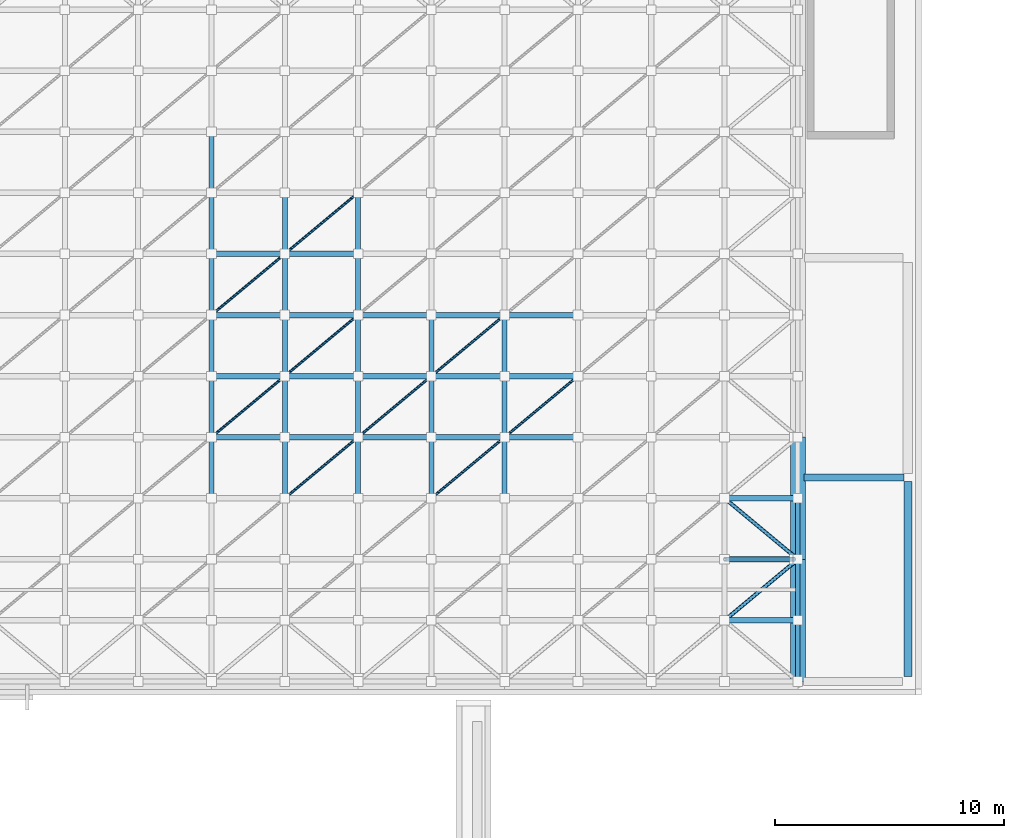
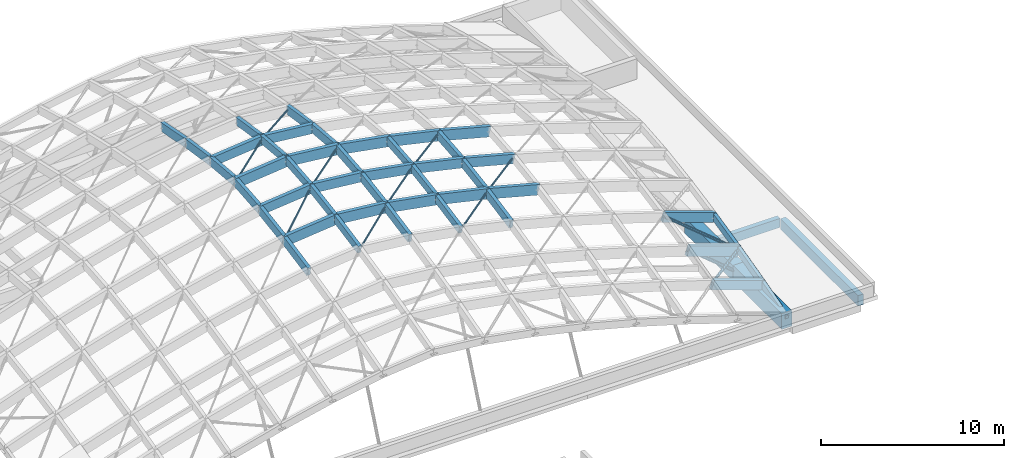
# One storey, part 19 of 40: 57 members, 4 beams.
"""IFC4 building model written with IfcOpenShell, lengths in metres."""

from ifc_helpers import new_model, si_unit, direction, frame, origin, origin_2d, place, context, subcontext, project, spatial, rectangle, hollow_circle, extrude, material, material_profile, profile_set, type_object, element, save


model = new_model("IFC4")

# Units and contexts
model_context = context("Model", 3, precision=1e-05, world=origin(), true_north=direction((0.0, 1.0)))
body_context = subcontext(model_context, "Body", "Model", "MODEL_VIEW")
ifc_project = project(units=[si_unit("LENGTHUNIT", "METRE"), si_unit("AREAUNIT", "SQUARE_METRE"), si_unit("VOLUMEUNIT", "CUBIC_METRE"), si_unit("PLANEANGLEUNIT", "RADIAN"), si_unit("MASSUNIT", "GRAM", prefix="KILO")], contexts=[model_context])

# Site, building, storey
site_placement = place(None, origin())
site = spatial("IfcSite", under=ifc_project, at=site_placement, CompositionType="ELEMENT")
building_placement = place(site_placement, origin())
building = spatial("IfcBuilding", under=site, at=building_placement, Name="Mzevani Central Library", CompositionType="ELEMENT")
storey_placement = place(building_placement, frame((0.0, 0.0, 26.699951171875)))
storey = spatial("IfcBuildingStorey", under=building, at=storey_placement, Name="RF", CompositionType="ELEMENT", Elevation=26.699951171875)

# Beams
ifc_material_1 = material(Name="Concrete C35/45", Category="concrete")
ifc_material_profile_1 = material_profile(ifc_material_1, rectangle(XDim=0.300048828125, YDim=0.60009765625, at=origin_2d()), Name="RC B300x600")
ifc_profile_set_1 = profile_set([ifc_material_profile_1], Name="Concrete C35/45")
beam_type_1 = type_object("IfcBeamType", Name="Beam RC 300x600", PredefinedType="BEAM", material=ifc_profile_set_1)
beam_1_placement = place(storey_placement, frame((159.27490234375, 52.0, -13.4599609375), z_axis=(1.0, 0.0, 0.0), x_axis=(0.0, 1.0, 0.0)))
element("IfcBeam", 1, at=beam_1_placement, inside=storey, type_object=beam_type_1, Name="RF V1 Girder B-03 (154)", PredefinedType="BEAM", context=body_context, shape_type="SweptSolid", body=[
    extrude(rectangle(XDim=0.300048828125, YDim=0.60009765625, at=origin_2d()), origin(), (0.0, 0.0, 1.0), 4.35009765625),
])
ifc_material_profile_2 = material_profile(ifc_material_1, rectangle(XDim=0.35009765625, YDim=0.699951171875, at=origin_2d()), Name="RC B350x700")
ifc_profile_set_2 = profile_set([ifc_material_profile_2], Name="Concrete C35/45")
beam_type_2 = type_object("IfcBeamType", Name="Beam RC 350x700", PredefinedType="BEAM", material=ifc_profile_set_2)
beam_2_placement = place(storey_placement, frame((163.800048828125, 43.324951171875, -13.510009765625), z_axis=(0.0, 1.0, 0.0), x_axis=(-1.0, 0.0, 0.0)))
element("IfcBeam", 2, at=beam_2_placement, inside=storey, type_object=beam_type_2, Name="RF V1 Frame Beam B-06 (173)", PredefinedType="BEAM", context=body_context, shape_type="SweptSolid", body=[
    extrude(rectangle(XDim=0.35009765625, YDim=0.699951171875, at=origin_2d()), origin(), (0.0, 0.0, 1.0), 8.5),
])

# Members
ifc_material_2 = material(Name="Steel S355J2", Category="steel")
ifc_material_profile_3 = material_profile(ifc_material_2, hollow_circle(Radius=0.096923828125, WallThickness=0.010009765625, at=origin_2d()), Name="CHS 193.7x10.0")
ifc_profile_set_3 = profile_set([ifc_material_profile_3], Name="Steel S355J2")
member_type_1 = type_object("IfcMemberType", Name="Gridshell Corner Raker CHS 193.7", PredefinedType="BRACE", material=ifc_profile_set_3)
member_1_placement = place(storey_placement, frame((158.85009765625, 48.433349609375, -12.949951171875), z_axis=(-0.770395365575, 0.0, 0.637566451988), x_axis=(0.0, -1.0, 0.0)))
element("IfcMember", 3, at=member_1_placement, inside=storey, type_object=member_type_1, Name="RF Gridshell East Springing Raker 1", PredefinedType="BRACE", context=body_context, shape_type="SweptSolid", body=[
    extrude(hollow_circle(Radius=0.096923828125, WallThickness=0.010009765625, at=origin_2d()), origin(), (0.0, 0.0, 1.0), 3.958984375),
])
ifc_material_profile_4 = material_profile(ifc_material_2, hollow_circle(Radius=0.05712890625, WallThickness=0.00634765625, at=origin_2d()), Name="CHS 114.3x6.3")
ifc_profile_set_4 = profile_set([ifc_material_profile_4], Name="Steel S355J2")
member_type_2 = type_object("IfcMemberType", Name="Gridshell Diagonal Brace CHS 114.3", PredefinedType="BRACE", material=ifc_profile_set_4)
member_2_placement = place(storey_placement, frame((133.39990234375, 53.7666015625, -5.1337890625), z_axis=(0.756213069326, 0.630158327452, 0.176188183836), x_axis=(-0.640172870191, 0.768230887345, 0.0)))
element("IfcMember", 4, at=member_2_placement, inside=storey, type_object=member_type_2, Name="RF Gridshell Steel Diagonal 7.5", PredefinedType="BRACE", context=body_context, shape_type="SweptSolid", body=[
    extrude(hollow_circle(Radius=0.05712890625, WallThickness=0.00634765625, at=origin_2d()), origin(), (0.0, 0.0, 1.0), 4.23193359375),
])
member_3_placement = place(storey_placement, frame((133.39990234375, 59.10009765625, -4.483154296875), z_axis=(0.768060115262, 0.639971969705, 0.022793361675), x_axis=(-0.640138279177, 0.768259710991, 0.0)))
element("IfcMember", 5, at=member_3_placement, inside=storey, type_object=member_type_2, Name="RF Gridshell Steel Diagonal 7.7", PredefinedType="BRACE", context=body_context, shape_type="SweptSolid", body=[
    extrude(hollow_circle(Radius=0.05712890625, WallThickness=0.00634765625, at=origin_2d()), origin(), (0.0, 0.0, 1.0), 4.16650390625),
])
member_4_placement = place(storey_placement, frame((136.60009765625, 51.10009765625, -5.3212890625), z_axis=(0.767458533327, 0.639519501106, 0.044968959609), x_axis=(-0.640167103973, 0.768235692344, 0.0)))
element("IfcMember", 6, at=member_4_placement, inside=storey, type_object=member_type_2, Name="RF Gridshell Steel Diagonal 8.4", PredefinedType="BRACE", context=body_context, shape_type="SweptSolid", body=[
    extrude(hollow_circle(Radius=0.05712890625, WallThickness=0.00634765625, at=origin_2d()), origin(), (0.0, 0.0, 1.0), 4.16943359375),
])
member_5_placement = place(storey_placement, frame((136.60009765625, 56.433349609375, -4.38818359375), z_axis=(0.768007282007, 0.640035365939, -0.02279353267), x_axis=(-0.640201694382, 0.768206867003, 0.0)))
element("IfcMember", 7, at=member_5_placement, inside=storey, type_object=member_type_2, Name="RF Gridshell Steel Diagonal 8.6", PredefinedType="BRACE", context=body_context, shape_type="SweptSolid", body=[
    extrude(hollow_circle(Radius=0.05712890625, WallThickness=0.00634765625, at=origin_2d()), origin(), (0.0, 0.0, 1.0), 4.16650390625),
])
member_6_placement = place(storey_placement, frame((136.60009765625, 61.7666015625, -4.38818359375), z_axis=(0.756188367799, 0.630185819903, -0.176195870547), x_axis=(-0.640201694382, 0.768206867003, 0.0)))
element("IfcMember", 8, at=member_6_placement, inside=storey, type_object=member_type_2, Name="RF Gridshell Steel Diagonal 8.8", PredefinedType="BRACE", context=body_context, shape_type="SweptSolid", body=[
    extrude(hollow_circle(Radius=0.05712890625, WallThickness=0.00634765625, at=origin_2d()), origin(), (0.0, 0.0, 1.0), 4.231689453125),
])
member_7_placement = place(storey_placement, frame((139.800048828125, 53.7666015625, -5.1337890625), z_axis=(0.76760639043, 0.639701274332, -0.039531114179), x_axis=(-0.640201694382, 0.768206867003, 0.0)))
element("IfcMember", 9, at=member_7_placement, inside=storey, type_object=member_type_2, Name="RF Gridshell Steel Diagonal 9.5", PredefinedType="BRACE", context=body_context, shape_type="SweptSolid", body=[
    extrude(hollow_circle(Radius=0.05712890625, WallThickness=0.00634765625, at=origin_2d()), origin(), (0.0, 0.0, 1.0), 4.168701171875),
])
member_8_placement = place(storey_placement, frame((143.0, 51.10009765625, -6.231689453125), z_axis=(0.767279567327, 0.6393703696, -0.049875806162), x_axis=(-0.640167103973, 0.768235692344, 0.0)))
element("IfcMember", 10, at=member_8_placement, inside=storey, type_object=member_type_2, Name="RF Gridshell Steel Diagonal 10.4", PredefinedType="BRACE", context=body_context, shape_type="SweptSolid", body=[
    extrude(hollow_circle(Radius=0.05712890625, WallThickness=0.00634765625, at=origin_2d()), origin(), (0.0, 0.0, 1.0), 4.17041015625),
])
member_9_placement = place(storey_placement, frame((143.0, 56.433349609375, -5.298583984375), z_axis=(0.762936143094, 0.635809223393, -0.116940467802), x_axis=(-0.640201694382, 0.768206867003, 0.0)))
element("IfcMember", 11, at=member_9_placement, inside=storey, type_object=member_type_2, Name="RF Gridshell Steel Diagonal 10.6", PredefinedType="BRACE", context=body_context, shape_type="SweptSolid", body=[
    extrude(hollow_circle(Radius=0.05712890625, WallThickness=0.00634765625, at=origin_2d()), origin(), (0.0, 0.0, 1.0), 4.1943359375),
])
member_10_placement = place(storey_placement, frame((146.199951171875, 53.7666015625, -6.439697265625), z_axis=(0.764032317897, 0.636722744212, -0.104109385806), x_axis=(-0.640201694382, 0.768206867003, 0.0)))
element("IfcMember", 12, at=member_10_placement, inside=storey, type_object=member_type_2, Name="RF Gridshell Steel Diagonal 11.5", PredefinedType="BRACE", context=body_context, shape_type="SweptSolid", body=[
    extrude(hollow_circle(Radius=0.05712890625, WallThickness=0.00634765625, at=origin_2d()), origin(), (0.0, 0.0, 1.0), 4.188232421875),
])
ifc_material_3 = material(Name="Glulam GL28h", Category="wood")
ifc_material_profile_5 = material_profile(ifc_material_3, rectangle(XDim=0.199951171875, YDim=0.47998046875, at=origin_2d()), Name="GL28h 200x480")
ifc_profile_set_5 = profile_set([ifc_material_profile_5], Name="Glulam GL28h")
member_type_3 = type_object("IfcMemberType", Name="Gridshell Edge Rib GL28h 200x480", PredefinedType="RAFTER", material=ifc_profile_set_5)
member_11_placement = place(storey_placement, frame((159.0, 43.10009765625, -12.919921875), z_axis=(0.0, 0.963264772672, 0.268553491374), x_axis=(-1.0, 0.0, 0.0)))
element("IfcMember", 13, at=member_11_placement, inside=storey, type_object=member_type_3, Name="RF Gridshell Glulam Transverse Rib Y15.1", PredefinedType="RAFTER", context=body_context, shape_type="SweptSolid", body=[
    extrude(rectangle(XDim=0.199951171875, YDim=0.47998046875, at=origin_2d()), origin(), (0.0, 0.0, 1.0), 2.768310546875),
])
member_12_placement = place(storey_placement, frame((159.0, 45.7666015625, -12.176513671875), z_axis=(0.0, 0.969084447248, 0.246729272892), x_axis=(-1.0, 0.0, 0.0)))
element("IfcMember", 14, at=member_12_placement, inside=storey, type_object=member_type_3, Name="RF Gridshell Glulam Transverse Rib Y15.2", PredefinedType="RAFTER", context=body_context, shape_type="SweptSolid", body=[
    extrude(rectangle(XDim=0.199951171875, YDim=0.47998046875, at=origin_2d()), origin(), (0.0, 0.0, 1.0), 2.751708984375),
])
member_13_placement = place(storey_placement, frame((159.0, 48.433349609375, -11.49755859375), z_axis=(0.0, 0.975103909038, 0.221748430839), x_axis=(-1.0, 0.0, 0.0)))
element("IfcMember", 15, at=member_13_placement, inside=storey, type_object=member_type_3, Name="RF Gridshell Glulam Transverse Rib Y15.3", PredefinedType="RAFTER", context=body_context, shape_type="SweptSolid", body=[
    extrude(rectangle(XDim=0.199951171875, YDim=0.47998046875, at=origin_2d()), origin(), (0.0, 0.0, 1.0), 2.73486328125),
])
ifc_material_profile_6 = material_profile(ifc_material_3, rectangle(XDim=0.239990234375, YDim=0.6201171875, at=origin_2d()), Name="GL28h 240x620")
ifc_profile_set_6 = profile_set([ifc_material_profile_6], Name="Glulam GL28h")
member_type_4 = type_object("IfcMemberType", Name="Gridshell Primary Rib GL28h 240x620", PredefinedType="RAFTER", material=ifc_profile_set_6)
for number, where, z_axis, x_axis, name in (
    (16, (155.800048828125, 45.7666015625, -11.125), (0.943711214964, 0.0, -0.330770528843), (0.0, 1.0, 0.0), "RF Gridshell Glulam Arch Rib X2.14"),
    (17, (155.800048828125, 51.10009765625, -9.839599609375), (0.943711214964, 0.0, -0.330770528843), (0.0, 1.0, 0.0), "RF Gridshell Glulam Arch Rib X4.14"),
):
    element("IfcMember", number, at=place(storey_placement, frame(where, z_axis=z_axis, x_axis=x_axis)), inside=storey, type_object=member_type_4, Name=name, PredefinedType="RAFTER", context=body_context, shape_type="SweptSolid", body=[
        extrude(rectangle(XDim=0.239990234375, YDim=0.6201171875, at=origin_2d()), origin(), (0.0, 0.0, 1.0), 3.390869140625),
    ])
member_14_placement = place(storey_placement, frame((133.39990234375, 56.433349609375, -4.761474609375), z_axis=(0.994613846753, 0.0, 0.103649871427), x_axis=(0.0, 1.0, 0.0)))
element("IfcMember", 18, at=member_14_placement, inside=storey, type_object=member_type_4, Name="RF Gridshell Glulam Arch Rib X6.7", PredefinedType="RAFTER", context=body_context, shape_type="SweptSolid", body=[
    extrude(rectangle(XDim=0.239990234375, YDim=0.6201171875, at=origin_2d()), origin(), (0.0, 0.0, 1.0), 3.217529296875),
])
member_15_placement = place(storey_placement, frame((136.60009765625, 56.433349609375, -4.427978515625), z_axis=(0.994613031477, 0.0, -0.103657694438), x_axis=(0.0, 1.0, 0.0)))
element("IfcMember", 19, at=member_15_placement, inside=storey, type_object=member_type_4, Name="RF Gridshell Glulam Arch Rib X6.8", PredefinedType="RAFTER", context=body_context, shape_type="SweptSolid", body=[
    extrude(rectangle(XDim=0.239990234375, YDim=0.6201171875, at=origin_2d()), origin(), (0.0, 0.0, 1.0), 3.21728515625),
])
member_16_placement = place(storey_placement, frame((139.800048828125, 56.433349609375, -4.761474609375), z_axis=(0.984121212692, 0.0, -0.177497714718), x_axis=(0.0, 1.0, 0.0)))
element("IfcMember", 20, at=member_16_placement, inside=storey, type_object=member_type_4, Name="RF Gridshell Glulam Arch Rib X6.9", PredefinedType="RAFTER", context=body_context, shape_type="SweptSolid", body=[
    extrude(rectangle(XDim=0.239990234375, YDim=0.6201171875, at=origin_2d()), origin(), (0.0, 0.0, 1.0), 3.25146484375),
])
member_17_placement = place(storey_placement, frame((143.0, 56.433349609375, -5.338623046875), z_axis=(0.975050212006, 0.0, -0.221984423028), x_axis=(0.0, 1.0, 0.0)))
element("IfcMember", 21, at=member_17_placement, inside=storey, type_object=member_type_4, Name="RF Gridshell Glulam Arch Rib X6.10", PredefinedType="RAFTER", context=body_context, shape_type="SweptSolid", body=[
    extrude(rectangle(XDim=0.239990234375, YDim=0.6201171875, at=origin_2d()), origin(), (0.0, 0.0, 1.0), 3.28173828125),
])
member_18_placement = place(storey_placement, frame((146.199951171875, 56.433349609375, -6.067138671875), z_axis=(0.966586546506, 0.0, -0.256340492535), x_axis=(0.0, 1.0, 0.0)))
element("IfcMember", 22, at=member_18_placement, inside=storey, type_object=member_type_4, Name="RF Gridshell Glulam Arch Rib X6.11", PredefinedType="RAFTER", context=body_context, shape_type="SweptSolid", body=[
    extrude(rectangle(XDim=0.239990234375, YDim=0.6201171875, at=origin_2d()), origin(), (0.0, 0.0, 1.0), 3.310546875),
])
member_19_placement = place(storey_placement, frame((133.39990234375, 61.7666015625, -4.761474609375), z_axis=(0.994613846753, 0.0, 0.103649871427), x_axis=(0.0, 1.0, 0.0)))
element("IfcMember", 23, at=member_19_placement, inside=storey, type_object=member_type_4, Name="RF Gridshell Glulam Arch Rib X8.7", PredefinedType="RAFTER", context=body_context, shape_type="SweptSolid", body=[
    extrude(rectangle(XDim=0.239990234375, YDim=0.6201171875, at=origin_2d()), origin(), (0.0, 0.0, 1.0), 3.217529296875),
])
member_20_placement = place(storey_placement, frame((136.60009765625, 61.7666015625, -4.427978515625), z_axis=(0.994613031477, 0.0, -0.103657694438), x_axis=(0.0, 1.0, 0.0)))
element("IfcMember", 24, at=member_20_placement, inside=storey, type_object=member_type_4, Name="RF Gridshell Glulam Arch Rib X8.8", PredefinedType="RAFTER", context=body_context, shape_type="SweptSolid", body=[
    extrude(rectangle(XDim=0.239990234375, YDim=0.6201171875, at=origin_2d()), origin(), (0.0, 0.0, 1.0), 3.21728515625),
])
ifc_material_profile_7 = material_profile(ifc_material_3, rectangle(XDim=0.239990234375, YDim=0.679931640625, at=origin_2d()), Name="GL28h 240x680")
ifc_profile_set_7 = profile_set([ifc_material_profile_7], Name="Glulam GL28h")
member_type_5 = type_object("IfcMemberType", Name="Gridshell Primary Rib GL28h 240x680", PredefinedType="RAFTER", material=ifc_profile_set_7)
member_21_placement = place(storey_placement, frame((155.800048828125, 48.433349609375, -10.475830078125), z_axis=(0.943711214964, 0.0, -0.330770528843), x_axis=(0.0, 1.0, 0.0)))
element("IfcMember", 25, at=member_21_placement, inside=storey, type_object=member_type_5, Name="RF Gridshell Glulam Arch Rib X3.14", PredefinedType="RAFTER", context=body_context, shape_type="SweptSolid", body=[
    extrude(rectangle(XDim=0.239990234375, YDim=0.679931640625, at=origin_2d()), origin(), (0.0, 0.0, 1.0), 3.390869140625),
])
member_22_placement = place(storey_placement, frame((133.39990234375, 53.7666015625, -5.203857421875), z_axis=(0.994621666406, 0.0, 0.103574807342), x_axis=(0.0, 1.0, 0.0)))
element("IfcMember", 26, at=member_22_placement, inside=storey, type_object=member_type_5, Name="RF Gridshell Glulam Arch Rib X5.7", PredefinedType="RAFTER", context=body_context, shape_type="SweptSolid", body=[
    extrude(rectangle(XDim=0.239990234375, YDim=0.679931640625, at=origin_2d()), origin(), (0.0, 0.0, 1.0), 3.217529296875),
])
member_23_placement = place(storey_placement, frame((136.60009765625, 53.7666015625, -4.87060546875), z_axis=(0.994620852304, 0.0, -0.103582624811), x_axis=(0.0, 1.0, 0.0)))
element("IfcMember", 27, at=member_23_placement, inside=storey, type_object=member_type_5, Name="RF Gridshell Glulam Arch Rib X5.8", PredefinedType="RAFTER", context=body_context, shape_type="SweptSolid", body=[
    extrude(rectangle(XDim=0.239990234375, YDim=0.679931640625, at=origin_2d()), origin(), (0.0, 0.0, 1.0), 3.21728515625),
])
member_24_placement = place(storey_placement, frame((139.800048828125, 53.7666015625, -5.203857421875), z_axis=(0.984121212692, 0.0, -0.177497714718), x_axis=(0.0, 1.0, 0.0)))
element("IfcMember", 28, at=member_24_placement, inside=storey, type_object=member_type_5, Name="RF Gridshell Glulam Arch Rib X5.9", PredefinedType="RAFTER", context=body_context, shape_type="SweptSolid", body=[
    extrude(rectangle(XDim=0.239990234375, YDim=0.679931640625, at=origin_2d()), origin(), (0.0, 0.0, 1.0), 3.25146484375),
])
member_25_placement = place(storey_placement, frame((143.0, 53.7666015625, -5.781005859375), z_axis=(0.975034107954, 0.0, -0.222055147039), x_axis=(0.0, 1.0, 0.0)))
element("IfcMember", 29, at=member_25_placement, inside=storey, type_object=member_type_5, Name="RF Gridshell Glulam Arch Rib X5.10", PredefinedType="RAFTER", context=body_context, shape_type="SweptSolid", body=[
    extrude(rectangle(XDim=0.239990234375, YDim=0.679931640625, at=origin_2d()), origin(), (0.0, 0.0, 1.0), 3.281982421875),
])
member_26_placement = place(storey_placement, frame((146.199951171875, 53.7666015625, -6.509765625), z_axis=(0.966604816788, 0.0, -0.256271590626), x_axis=(0.0, 1.0, 0.0)))
element("IfcMember", 30, at=member_26_placement, inside=storey, type_object=member_type_5, Name="RF Gridshell Glulam Arch Rib X5.11", PredefinedType="RAFTER", context=body_context, shape_type="SweptSolid", body=[
    extrude(rectangle(XDim=0.239990234375, YDim=0.679931640625, at=origin_2d()), origin(), (0.0, 0.0, 1.0), 3.310546875),
])
member_27_placement = place(storey_placement, frame((133.39990234375, 59.10009765625, -4.55322265625), z_axis=(0.994621666406, 0.0, 0.103574807342), x_axis=(0.0, 1.0, 0.0)))
element("IfcMember", 31, at=member_27_placement, inside=storey, type_object=member_type_5, Name="RF Gridshell Glulam Arch Rib X7.7", PredefinedType="RAFTER", context=body_context, shape_type="SweptSolid", body=[
    extrude(rectangle(XDim=0.239990234375, YDim=0.679931640625, at=origin_2d()), origin(), (0.0, 0.0, 1.0), 3.217529296875),
])
member_28_placement = place(storey_placement, frame((136.60009765625, 59.10009765625, -4.219970703125), z_axis=(0.994620852304, 0.0, -0.103582624811), x_axis=(0.0, 1.0, 0.0)))
element("IfcMember", 32, at=member_28_placement, inside=storey, type_object=member_type_5, Name="RF Gridshell Glulam Arch Rib X7.8", PredefinedType="RAFTER", context=body_context, shape_type="SweptSolid", body=[
    extrude(rectangle(XDim=0.239990234375, YDim=0.679931640625, at=origin_2d()), origin(), (0.0, 0.0, 1.0), 3.21728515625),
])
member_29_placement = place(storey_placement, frame((139.800048828125, 59.10009765625, -4.55322265625), z_axis=(0.984121212692, 0.0, -0.177497714718), x_axis=(0.0, 1.0, 0.0)))
element("IfcMember", 33, at=member_29_placement, inside=storey, type_object=member_type_5, Name="RF Gridshell Glulam Arch Rib X7.9", PredefinedType="RAFTER", context=body_context, shape_type="SweptSolid", body=[
    extrude(rectangle(XDim=0.239990234375, YDim=0.679931640625, at=origin_2d()), origin(), (0.0, 0.0, 1.0), 3.25146484375),
])
member_30_placement = place(storey_placement, frame((143.0, 59.10009765625, -5.13037109375), z_axis=(0.975034107954, 0.0, -0.222055147039), x_axis=(0.0, 1.0, 0.0)))
element("IfcMember", 34, at=member_30_placement, inside=storey, type_object=member_type_5, Name="RF Gridshell Glulam Arch Rib X7.10", PredefinedType="RAFTER", context=body_context, shape_type="SweptSolid", body=[
    extrude(rectangle(XDim=0.239990234375, YDim=0.679931640625, at=origin_2d()), origin(), (0.0, 0.0, 1.0), 3.281982421875),
])
member_31_placement = place(storey_placement, frame((146.199951171875, 59.10009765625, -5.859130859375), z_axis=(0.966604816788, 0.0, -0.256271590626), x_axis=(0.0, 1.0, 0.0)))
element("IfcMember", 35, at=member_31_placement, inside=storey, type_object=member_type_5, Name="RF Gridshell Glulam Arch Rib X7.11", PredefinedType="RAFTER", context=body_context, shape_type="SweptSolid", body=[
    extrude(rectangle(XDim=0.239990234375, YDim=0.679931640625, at=origin_2d()), origin(), (0.0, 0.0, 1.0), 3.310546875),
])

# Beams
ifc_material_4 = material(Name="Concrete C40/50", Category="concrete")
ifc_material_profile_8 = material_profile(ifc_material_4, rectangle(XDim=0.64990234375, YDim=1.050048828125, at=origin_2d()), Name="RC RB650x1050")
ifc_profile_set_8 = profile_set([ifc_material_profile_8], Name="Concrete C40/50")
beam_type_3 = type_object("IfcBeamType", Name="Gridshell Ring Beam RC 650x1050", PredefinedType="BEAM", material=ifc_profile_set_8)
for number, where, z_axis, x_axis, name in (
    (36, (159.0, 43.10009765625, -13.02490234375), (0.0, 1.0, 0.0), (-1.0, 0.0, 0.0), "RF Gridshell Ring Beam East Bay 1"),
    (37, (159.0, 48.433349609375, -13.02490234375), (0.0, 1.0, 0.0), (-1.0, 0.0, 0.0), "RF Gridshell Ring Beam East Bay 2"),
):
    element("IfcBeam", number, at=place(storey_placement, frame(where, z_axis=z_axis, x_axis=x_axis)), inside=storey, type_object=beam_type_3, Name=name, PredefinedType="BEAM", context=body_context, shape_type="SweptSolid", body=[
        extrude(rectangle(XDim=0.64990234375, YDim=1.050048828125, at=origin_2d()), origin(), (0.0, 0.0, 1.0), 5.333251953125),
    ])

# Members
ifc_material_profile_9 = material_profile(ifc_material_2, hollow_circle(Radius=0.084228515625, WallThickness=0.010009765625, at=origin_2d()), Name="CHS 168.3x10.0")
ifc_profile_set_9 = profile_set([ifc_material_profile_9], Name="Steel S355J2")
member_type_6 = type_object("IfcMemberType", Name="Gridshell Springing Brace CHS 168.3", PredefinedType="BRACE", material=ifc_profile_set_9)
member_32_placement = place(storey_placement, frame((155.800048828125, 45.7666015625, -11.0849609375), z_axis=(0.763906211629, 0.636617650845, -0.105665824497), x_axis=(-0.640201694382, 0.768206867003, 0.0)))
element("IfcMember", 38, at=member_32_placement, inside=storey, type_object=member_type_6, Name="RF Gridshell Steel Diagonal 14.2", PredefinedType="BRACE", context=body_context, shape_type="SweptSolid", body=[
    extrude(hollow_circle(Radius=0.084228515625, WallThickness=0.010009765625, at=origin_2d()), origin(), (0.0, 0.0, 1.0), 4.18896484375),
])
member_33_placement = place(storey_placement, frame((155.800048828125, 51.10009765625, -9.799560546875), z_axis=(0.709572188178, -0.591337225259, -0.383180891731), x_axis=(0.640201694382, 0.768206867003, 0.0)))
element("IfcMember", 39, at=member_33_placement, inside=storey, type_object=member_type_6, Name="RF Gridshell Steel Diagonal 14.3", PredefinedType="BRACE", context=body_context, shape_type="SweptSolid", body=[
    extrude(hollow_circle(Radius=0.084228515625, WallThickness=0.010009765625, at=origin_2d()), origin(), (0.0, 0.0, 1.0), 4.509765625),
])
ifc_material_profile_10 = material_profile(ifc_material_3, rectangle(XDim=0.219970703125, YDim=0.52001953125, at=origin_2d()), Name="GL28h 220x520")
ifc_profile_set_10 = profile_set([ifc_material_profile_10], Name="Glulam GL28h")
member_type_7 = type_object("IfcMemberType", Name="Gridshell Transverse Rib GL28h 220x520", PredefinedType="RAFTER", material=ifc_profile_set_10)
member_34_placement = place(storey_placement, frame((136.60009765625, 51.10009765625, -5.311279296875), z_axis=(0.0, 0.981458856952, 0.191672930038), x_axis=(-1.0, 0.0, 0.0)))
element("IfcMember", 40, at=member_34_placement, inside=storey, type_object=member_type_7, Name="RF Gridshell Glulam Transverse Rib Y8.4", PredefinedType="RAFTER", context=body_context, shape_type="SweptSolid", body=[
    extrude(rectangle(XDim=0.219970703125, YDim=0.52001953125, at=origin_2d()), origin(), (0.0, 0.0, 1.0), 2.716796875),
])
member_35_placement = place(storey_placement, frame((136.60009765625, 53.7666015625, -4.79052734375), z_axis=(0.0, 0.988255309049, 0.152811793187), x_axis=(-1.0, 0.0, 0.0)))
element("IfcMember", 41, at=member_35_placement, inside=storey, type_object=member_type_7, Name="RF Gridshell Glulam Transverse Rib Y8.5", PredefinedType="RAFTER", context=body_context, shape_type="SweptSolid", body=[
    extrude(rectangle(XDim=0.219970703125, YDim=0.52001953125, at=origin_2d()), origin(), (0.0, 0.0, 1.0), 2.698486328125),
])
member_36_placement = place(storey_placement, frame((136.60009765625, 56.433349609375, -4.378173828125), z_axis=(0.0, 0.996031789394, 0.088998171423), x_axis=(-1.0, 0.0, 0.0)))
element("IfcMember", 42, at=member_36_placement, inside=storey, type_object=member_type_7, Name="RF Gridshell Glulam Transverse Rib Y8.6", PredefinedType="RAFTER", context=body_context, shape_type="SweptSolid", body=[
    extrude(rectangle(XDim=0.219970703125, YDim=0.52001953125, at=origin_2d()), origin(), (0.0, 0.0, 1.0), 2.677490234375),
])
member_37_placement = place(storey_placement, frame((136.60009765625, 59.10009765625, -4.139892578125), z_axis=(0.0, 0.996031067036, -0.089006255395), x_axis=(-1.0, 0.0, 0.0)))
element("IfcMember", 43, at=member_37_placement, inside=storey, type_object=member_type_7, Name="RF Gridshell Glulam Transverse Rib Y8.7", PredefinedType="RAFTER", context=body_context, shape_type="SweptSolid", body=[
    extrude(rectangle(XDim=0.219970703125, YDim=0.52001953125, at=origin_2d()), origin(), (0.0, 0.0, 1.0), 2.67724609375),
])
member_38_placement = place(storey_placement, frame((136.60009765625, 61.7666015625, -4.378173828125), z_axis=(0.0, 0.988255309049, -0.152811793187), x_axis=(-1.0, 0.0, 0.0)))
element("IfcMember", 44, at=member_38_placement, inside=storey, type_object=member_type_7, Name="RF Gridshell Glulam Transverse Rib Y8.8", PredefinedType="RAFTER", context=body_context, shape_type="SweptSolid", body=[
    extrude(rectangle(XDim=0.219970703125, YDim=0.52001953125, at=origin_2d()), origin(), (0.0, 0.0, 1.0), 2.698486328125),
])
member_39_placement = place(storey_placement, frame((143.0, 51.10009765625, -6.2216796875), z_axis=(0.0, 0.981475757945, 0.191586368425), x_axis=(-1.0, 0.0, 0.0)))
element("IfcMember", 45, at=member_39_placement, inside=storey, type_object=member_type_7, Name="RF Gridshell Glulam Transverse Rib Y10.4", PredefinedType="RAFTER", context=body_context, shape_type="SweptSolid", body=[
    extrude(rectangle(XDim=0.219970703125, YDim=0.52001953125, at=origin_2d()), origin(), (0.0, 0.0, 1.0), 2.716796875),
])
member_40_placement = place(storey_placement, frame((143.0, 53.7666015625, -5.701171875), z_axis=(0.0, 0.988241642061, 0.152900153354), x_axis=(-1.0, 0.0, 0.0)))
element("IfcMember", 46, at=member_40_placement, inside=storey, type_object=member_type_7, Name="RF Gridshell Glulam Transverse Rib Y10.5", PredefinedType="RAFTER", context=body_context, shape_type="SweptSolid", body=[
    extrude(rectangle(XDim=0.219970703125, YDim=0.52001953125, at=origin_2d()), origin(), (0.0, 0.0, 1.0), 2.698486328125),
])
member_41_placement = place(storey_placement, frame((143.0, 56.433349609375, -5.28857421875), z_axis=(0.0, 0.996039868593, 0.08890770593), x_axis=(-1.0, 0.0, 0.0)))
element("IfcMember", 47, at=member_41_placement, inside=storey, type_object=member_type_7, Name="RF Gridshell Glulam Transverse Rib Y10.6", PredefinedType="RAFTER", context=body_context, shape_type="SweptSolid", body=[
    extrude(rectangle(XDim=0.219970703125, YDim=0.52001953125, at=origin_2d()), origin(), (0.0, 0.0, 1.0), 2.67724609375),
])
ifc_material_profile_11 = material_profile(ifc_material_3, rectangle(XDim=0.219970703125, YDim=0.580078125, at=origin_2d()), Name="GL28h 220x580")
ifc_profile_set_11 = profile_set([ifc_material_profile_11], Name="Glulam GL28h")
member_type_8 = type_object("IfcMemberType", Name="Gridshell Transverse Rib GL28h 220x580", PredefinedType="RAFTER", material=ifc_profile_set_11)
member_42_placement = place(storey_placement, frame((133.39990234375, 51.10009765625, -5.674560546875), z_axis=(0.0, 0.981458856952, 0.191672930038), x_axis=(-1.0, 0.0, 0.0)))
element("IfcMember", 48, at=member_42_placement, inside=storey, type_object=member_type_8, Name="RF Gridshell Glulam Transverse Rib Y7.4", PredefinedType="RAFTER", context=body_context, shape_type="SweptSolid", body=[
    extrude(rectangle(XDim=0.219970703125, YDim=0.580078125, at=origin_2d()), origin(), (0.0, 0.0, 1.0), 2.716796875),
])
member_43_placement = place(storey_placement, frame((133.39990234375, 53.7666015625, -5.15380859375), z_axis=(0.0, 0.988255309049, 0.152811793187), x_axis=(-1.0, 0.0, 0.0)))
element("IfcMember", 49, at=member_43_placement, inside=storey, type_object=member_type_8, Name="RF Gridshell Glulam Transverse Rib Y7.5", PredefinedType="RAFTER", context=body_context, shape_type="SweptSolid", body=[
    extrude(rectangle(XDim=0.219970703125, YDim=0.580078125, at=origin_2d()), origin(), (0.0, 0.0, 1.0), 2.698486328125),
])
member_44_placement = place(storey_placement, frame((133.39990234375, 56.433349609375, -4.741455078125), z_axis=(0.0, 0.996031789394, 0.088998171423), x_axis=(-1.0, 0.0, 0.0)))
element("IfcMember", 50, at=member_44_placement, inside=storey, type_object=member_type_8, Name="RF Gridshell Glulam Transverse Rib Y7.6", PredefinedType="RAFTER", context=body_context, shape_type="SweptSolid", body=[
    extrude(rectangle(XDim=0.219970703125, YDim=0.580078125, at=origin_2d()), origin(), (0.0, 0.0, 1.0), 2.677490234375),
])
member_45_placement = place(storey_placement, frame((133.39990234375, 59.10009765625, -4.503173828125), z_axis=(0.0, 0.996031067036, -0.089006255395), x_axis=(-1.0, 0.0, 0.0)))
element("IfcMember", 51, at=member_45_placement, inside=storey, type_object=member_type_8, Name="RF Gridshell Glulam Transverse Rib Y7.7", PredefinedType="RAFTER", context=body_context, shape_type="SweptSolid", body=[
    extrude(rectangle(XDim=0.219970703125, YDim=0.580078125, at=origin_2d()), origin(), (0.0, 0.0, 1.0), 2.67724609375),
])
member_46_placement = place(storey_placement, frame((133.39990234375, 61.7666015625, -4.741455078125), z_axis=(0.0, 0.988255309049, -0.152811793187), x_axis=(-1.0, 0.0, 0.0)))
element("IfcMember", 52, at=member_46_placement, inside=storey, type_object=member_type_8, Name="RF Gridshell Glulam Transverse Rib Y7.8", PredefinedType="RAFTER", context=body_context, shape_type="SweptSolid", body=[
    extrude(rectangle(XDim=0.219970703125, YDim=0.580078125, at=origin_2d()), origin(), (0.0, 0.0, 1.0), 2.698486328125),
])
member_47_placement = place(storey_placement, frame((133.39990234375, 64.433349609375, -5.15380859375), z_axis=(0.0, 0.981462157865, -0.191656026982), x_axis=(-1.0, 0.0, 0.0)))
element("IfcMember", 53, at=member_47_placement, inside=storey, type_object=member_type_8, Name="RF Gridshell Glulam Transverse Rib Y7.9", PredefinedType="RAFTER", context=body_context, shape_type="SweptSolid", body=[
    extrude(rectangle(XDim=0.219970703125, YDim=0.580078125, at=origin_2d()), origin(), (0.0, 0.0, 1.0), 2.717041015625),
])
member_48_placement = place(storey_placement, frame((139.800048828125, 51.10009765625, -5.674560546875), z_axis=(0.0, 0.981458856952, 0.191672930038), x_axis=(-1.0, 0.0, 0.0)))
element("IfcMember", 54, at=member_48_placement, inside=storey, type_object=member_type_8, Name="RF Gridshell Glulam Transverse Rib Y9.4", PredefinedType="RAFTER", context=body_context, shape_type="SweptSolid", body=[
    extrude(rectangle(XDim=0.219970703125, YDim=0.580078125, at=origin_2d()), origin(), (0.0, 0.0, 1.0), 2.716796875),
])
member_49_placement = place(storey_placement, frame((139.800048828125, 53.7666015625, -5.15380859375), z_axis=(0.0, 0.988255309049, 0.152811793187), x_axis=(-1.0, 0.0, 0.0)))
element("IfcMember", 55, at=member_49_placement, inside=storey, type_object=member_type_8, Name="RF Gridshell Glulam Transverse Rib Y9.5", PredefinedType="RAFTER", context=body_context, shape_type="SweptSolid", body=[
    extrude(rectangle(XDim=0.219970703125, YDim=0.580078125, at=origin_2d()), origin(), (0.0, 0.0, 1.0), 2.698486328125),
])
member_50_placement = place(storey_placement, frame((139.800048828125, 56.433349609375, -4.741455078125), z_axis=(0.0, 0.996031789394, 0.088998171423), x_axis=(-1.0, 0.0, 0.0)))
element("IfcMember", 56, at=member_50_placement, inside=storey, type_object=member_type_8, Name="RF Gridshell Glulam Transverse Rib Y9.6", PredefinedType="RAFTER", context=body_context, shape_type="SweptSolid", body=[
    extrude(rectangle(XDim=0.219970703125, YDim=0.580078125, at=origin_2d()), origin(), (0.0, 0.0, 1.0), 2.677490234375),
])
member_51_placement = place(storey_placement, frame((139.800048828125, 59.10009765625, -4.503173828125), z_axis=(0.0, 0.996031067036, -0.089006255395), x_axis=(-1.0, 0.0, 0.0)))
element("IfcMember", 57, at=member_51_placement, inside=storey, type_object=member_type_8, Name="RF Gridshell Glulam Transverse Rib Y9.7", PredefinedType="RAFTER", context=body_context, shape_type="SweptSolid", body=[
    extrude(rectangle(XDim=0.219970703125, YDim=0.580078125, at=origin_2d()), origin(), (0.0, 0.0, 1.0), 2.67724609375),
])
member_52_placement = place(storey_placement, frame((139.800048828125, 61.7666015625, -4.741455078125), z_axis=(0.0, 0.988255309049, -0.152811793187), x_axis=(-1.0, 0.0, 0.0)))
element("IfcMember", 58, at=member_52_placement, inside=storey, type_object=member_type_8, Name="RF Gridshell Glulam Transverse Rib Y9.8", PredefinedType="RAFTER", context=body_context, shape_type="SweptSolid", body=[
    extrude(rectangle(XDim=0.219970703125, YDim=0.580078125, at=origin_2d()), origin(), (0.0, 0.0, 1.0), 2.698486328125),
])
member_53_placement = place(storey_placement, frame((146.199951171875, 51.10009765625, -6.98046875), z_axis=(0.0, 0.981458856952, 0.191672930038), x_axis=(-1.0, 0.0, 0.0)))
element("IfcMember", 59, at=member_53_placement, inside=storey, type_object=member_type_8, Name="RF Gridshell Glulam Transverse Rib Y11.4", PredefinedType="RAFTER", context=body_context, shape_type="SweptSolid", body=[
    extrude(rectangle(XDim=0.219970703125, YDim=0.580078125, at=origin_2d()), origin(), (0.0, 0.0, 1.0), 2.716796875),
])
member_54_placement = place(storey_placement, frame((146.199951171875, 53.7666015625, -6.459716796875), z_axis=(0.0, 0.988255309049, 0.152811793187), x_axis=(-1.0, 0.0, 0.0)))
element("IfcMember", 60, at=member_54_placement, inside=storey, type_object=member_type_8, Name="RF Gridshell Glulam Transverse Rib Y11.5", PredefinedType="RAFTER", context=body_context, shape_type="SweptSolid", body=[
    extrude(rectangle(XDim=0.219970703125, YDim=0.580078125, at=origin_2d()), origin(), (0.0, 0.0, 1.0), 2.698486328125),
])
member_55_placement = place(storey_placement, frame((146.199951171875, 56.433349609375, -6.04736328125), z_axis=(0.0, 0.996031789394, 0.088998171423), x_axis=(-1.0, 0.0, 0.0)))
element("IfcMember", 61, at=member_55_placement, inside=storey, type_object=member_type_8, Name="RF Gridshell Glulam Transverse Rib Y11.6", PredefinedType="RAFTER", context=body_context, shape_type="SweptSolid", body=[
    extrude(rectangle(XDim=0.219970703125, YDim=0.580078125, at=origin_2d()), origin(), (0.0, 0.0, 1.0), 2.677490234375),
])

save(model, "model.ifc")
